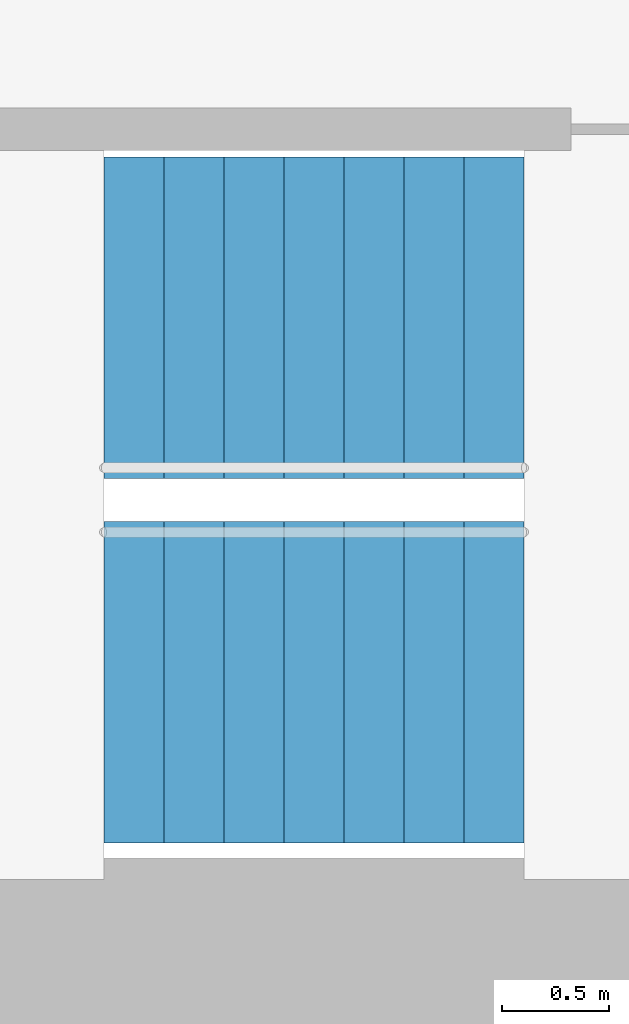
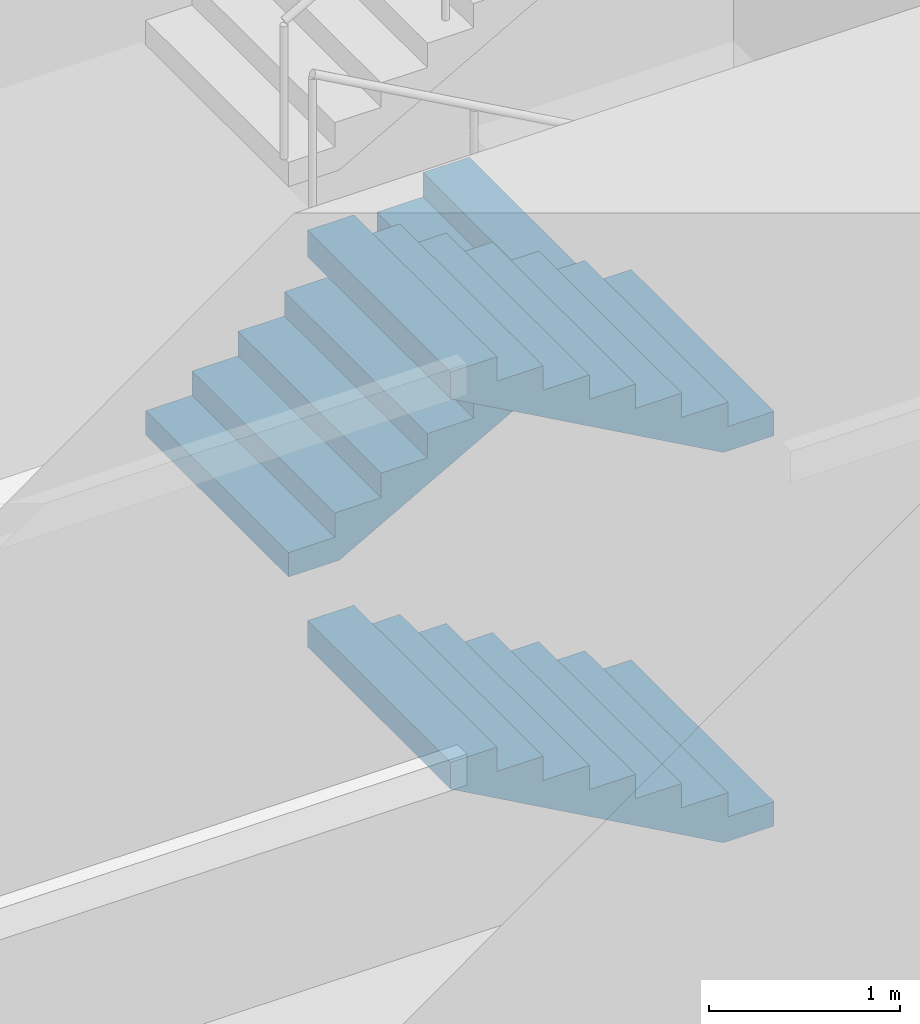
# One storey, part 32 of 73: 3 stair flights, 1 element without a shape of its own.
"""IFC4 building model written with IfcOpenShell, lengths in metres."""

from ifc_helpers import new_model, si_unit, direction, frame, origin, place, context, subcontext, project, spatial, triangles, material, type_object, element, aggregate, save


model = new_model("IFC4")

# Units and contexts
model_context = context("Model", 3, precision=1e-05, world=origin(), true_north=direction((0.0, 1.0)))
body_context = subcontext(model_context, "Body", "Model", "MODEL_VIEW")
ifc_project = project(units=[si_unit("LENGTHUNIT", "METRE"), si_unit("AREAUNIT", "SQUARE_METRE"), si_unit("VOLUMEUNIT", "CUBIC_METRE"), si_unit("PLANEANGLEUNIT", "RADIAN"), si_unit("MASSUNIT", "GRAM", prefix="KILO")], contexts=[model_context])

# Site, building, storey
site_placement = place(None, origin())
site = spatial("IfcSite", under=ifc_project, at=site_placement, CompositionType="ELEMENT")
building_placement = place(site_placement, origin())
building = spatial("IfcBuilding", under=site, at=building_placement, Name="Lantaw Convention Tower", CompositionType="ELEMENT")
storey_placement = place(building_placement, frame((0.0, 0.0, 22.0)))
storey = spatial("IfcBuildingStorey", under=building, at=storey_placement, Name="L03", CompositionType="ELEMENT", Elevation=22.0)

# Stair, stair flights
ifc_material = material(Name="Concrete C35/45", Category="concrete")
stair_type = type_object("IfcStairType", Name="Exit stair 1500 riser 156.25 in 4 flights", PredefinedType="HALF_TURN_STAIR", material=ifc_material)
stair_placement = place(storey_placement, origin())
stair = element("IfcStair", 1, at=stair_placement, inside=storey, type_object=stair_type, Name="Exit stair S2 L03", PredefinedType="HALF_TURN_STAIR")
stair_flight_type = type_object("IfcStairFlightType", Name="Stair flight 1500 riser 156.25", PredefinedType="STRAIGHT", material=ifc_material)
stair_flight_1_placement = place(storey_placement, frame((10.580078125, -5.97998046875, 0.0), z_axis=(0.0, 0.0, 1.0), x_axis=(-1.0, 0.0, 0.0)))
stair_flight_1 = element("IfcStairFlight", 2, at=stair_flight_1_placement, type_object=stair_flight_type, Name="S2 flight 1", NumberOfRisers=8, NumberOfTreads=7, PredefinedType="STRAIGHT", RiserHeight=0.15625, TreadLength=0.28, context=body_context, shape_type="Tessellation", body=[
    triangles([(0.0, 0.75, 0.0), (0.0, 0.75, 0.15625), (0.28, 0.75, 0.0), (0.28, 0.75, 0.15625), (0.28, 0.75, 0.3125), (0.3076200632058044, 0.75, 0.0), (0.3076200632058044, 0.75, 0.3125), (0.56, 0.75, 0.14083701830033238), (0.56, 0.75, 0.3125), (0.56, 0.75, 0.46875), (0.8400000000000001, 0.75, 0.29708701830033235), (0.8400000000000001, 0.75, 0.46875), (0.8400000000000001, 0.75, 0.625), (1.12, 0.75, 0.45333701830033235), (1.12, 0.75, 0.625), (1.12, 0.75, 0.78125), (1.4000000000000001, 0.75, 0.6095870183003324), (1.4000000000000001, 0.75, 0.78125), (1.4000000000000001, 0.75, 0.9375), (1.6800000000000002, 0.75, 0.7658370183003324), (1.6800000000000002, 0.75, 0.9375), (1.6800000000000002, 0.75, 1.09375), (1.9600000000000002, 0.75, 0.9220870183003324), (1.9600000000000002, 0.75, 1.09375), (0.0, -0.75, 0.0), (0.0, -0.75, 0.15625), (0.28, -0.75, 0.0), (0.28, -0.75, 0.15625), (0.28, -0.75, 0.3125), (0.3076200632058044, -0.75, 0.0), (0.3076200632058044, -0.75, 0.3125), (0.56, -0.75, 0.14083701830033238), (0.56, -0.75, 0.3125), (0.56, -0.75, 0.46875), (0.8400000000000001, -0.75, 0.29708701830033235), (0.8400000000000001, -0.75, 0.46875), (0.8400000000000001, -0.75, 0.625), (1.12, -0.75, 0.45333701830033235), (1.12, -0.75, 0.625), (1.12, -0.75, 0.78125), (1.4000000000000001, -0.75, 0.6095870183003324), (1.4000000000000001, -0.75, 0.78125), (1.4000000000000001, -0.75, 0.9375), (1.6800000000000002, -0.75, 0.7658370183003324), (1.6800000000000002, -0.75, 0.9375), (1.6800000000000002, -0.75, 1.09375), (1.9600000000000002, -0.75, 0.9220870183003324), (1.9600000000000002, -0.75, 1.09375), (0.0, 0.15000000000000002, 0.15625), (0.0, 0.15000000000000002, 0.0), (0.0, 0.0, 0.15625), (0.0, 0.0, 0.0), (0.0, -0.15000000000000002, 0.15625), (0.0, -0.15000000000000002, 0.0), (0.28, 0.15000000000000002, 0.3125), (0.28, 0.15000000000000002, 0.15625), (0.28, 0.0, 0.3125), (0.28, 0.0, 0.15625), (0.28, -0.15000000000000002, 0.3125), (0.28, -0.15000000000000002, 0.15625), (0.56, 0.15000000000000002, 0.46875), (0.56, 0.15000000000000002, 0.3125), (0.56, 0.0, 0.46875), (0.56, 0.0, 0.3125), (0.56, -0.15000000000000002, 0.46875), (0.56, -0.15000000000000002, 0.3125), (0.8400000000000001, 0.15000000000000002, 0.625), (0.8400000000000001, 0.15000000000000002, 0.46875), (0.8400000000000001, 0.0, 0.625), (0.8400000000000001, 0.0, 0.46875), (0.8400000000000001, -0.15000000000000002, 0.625), (0.8400000000000001, -0.15000000000000002, 0.46875), (1.12, 0.15000000000000002, 0.78125), (1.12, 0.15000000000000002, 0.625), (1.12, 0.0, 0.78125), (1.12, 0.0, 0.625), (1.12, -0.15000000000000002, 0.78125), (1.12, -0.15000000000000002, 0.625), (1.4000000000000001, 0.15000000000000002, 0.9375), (1.4000000000000001, 0.15000000000000002, 0.78125), (1.4000000000000001, 0.0, 0.9375), (1.4000000000000001, 0.0, 0.78125), (1.4000000000000001, -0.15000000000000002, 0.9375), (1.4000000000000001, -0.15000000000000002, 0.78125), (1.6800000000000002, 0.15000000000000002, 1.09375), (1.6800000000000002, 0.15000000000000002, 0.9375), (1.6800000000000002, 0.0, 1.09375), (1.6800000000000002, 0.0, 0.9375), (1.6800000000000002, -0.15000000000000002, 1.09375), (1.6800000000000002, -0.15000000000000002, 0.9375), (0.3076200632058044, 0.15000000000000002, 0.3125), (0.3076200632058044, 0.0, 0.3125), (0.3076200632058044, -0.15000000000000002, 0.3125), (1.9600000000000002, 0.15000000000000002, 1.09375), (1.9600000000000002, 0.0, 1.09375), (1.9600000000000002, -0.15000000000000002, 1.09375), (1.9600000000000002, 0.15000000000000002, 0.9220870183003324), (1.9600000000000002, 0.0, 0.9220870183003324), (1.9600000000000002, -0.15000000000000002, 0.9220870183003324), (1.6800000000000002, 0.15000000000000002, 0.7658370183003324), (1.6800000000000002, 0.0, 0.7658370183003324), (1.6800000000000002, -0.15000000000000002, 0.7658370183003324), (1.4000000000000001, 0.15000000000000002, 0.6095870183003324), (1.4000000000000001, 0.0, 0.6095870183003324), (1.4000000000000001, -0.15000000000000002, 0.6095870183003324), (1.12, 0.15000000000000002, 0.45333701830033235), (1.12, 0.0, 0.45333701830033235), (1.12, -0.15000000000000002, 0.45333701830033235), (0.8400000000000001, 0.15000000000000002, 0.29708701830033235), (0.8400000000000001, 0.0, 0.29708701830033235), (0.8400000000000001, -0.15000000000000002, 0.29708701830033235), (0.56, 0.15000000000000002, 0.14083701830033238), (0.56, 0.0, 0.14083701830033238), (0.56, -0.15000000000000002, 0.14083701830033238), (0.3076200632058044, 0.15000000000000002, 0.0), (0.3076200632058044, 0.0, 0.0), (0.3076200632058044, -0.15000000000000002, 0.0), (0.28, 0.15000000000000002, 0.0), (0.28, 0.0, 0.0), (0.28, -0.15000000000000002, 0.0)], [[1, 4, 3], [1, 2, 4], [3, 4, 6], [4, 7, 6], [4, 5, 7], [6, 9, 8], [6, 7, 9], [8, 9, 11], [9, 12, 11], [9, 10, 12], [11, 12, 14], [12, 15, 14], [12, 13, 15], [14, 15, 17], [15, 18, 17], [15, 16, 18], [17, 18, 20], [18, 21, 20], [18, 19, 21], [20, 21, 23], [21, 24, 23], [21, 22, 24], [25, 27, 28], [25, 28, 26], [27, 30, 28], [28, 30, 31], [28, 31, 29], [30, 32, 33], [30, 33, 31], [32, 35, 33], [33, 35, 36], [33, 36, 34], [35, 38, 36], [36, 38, 39], [36, 39, 37], [38, 41, 39], [39, 41, 42], [39, 42, 40], [41, 44, 42], [42, 44, 45], [42, 45, 43], [44, 47, 45], [45, 47, 48], [45, 48, 46], [1, 49, 2], [1, 50, 49], [50, 51, 49], [50, 52, 51], [52, 53, 51], [52, 54, 53], [54, 26, 53], [54, 25, 26], [4, 55, 5], [4, 56, 55], [56, 57, 55], [56, 58, 57], [58, 59, 57], [58, 60, 59], [60, 29, 59], [60, 28, 29], [9, 61, 10], [9, 62, 61], [62, 63, 61], [62, 64, 63], [64, 65, 63], [64, 66, 65], [66, 34, 65], [66, 33, 34], [12, 67, 13], [12, 68, 67], [68, 69, 67], [68, 70, 69], [70, 71, 69], [70, 72, 71], [72, 37, 71], [72, 36, 37], [15, 73, 16], [15, 74, 73], [74, 75, 73], [74, 76, 75], [76, 77, 75], [76, 78, 77], [78, 40, 77], [78, 39, 40], [18, 79, 19], [18, 80, 79], [80, 81, 79], [80, 82, 81], [82, 83, 81], [82, 84, 83], [84, 43, 83], [84, 42, 43], [21, 85, 22], [21, 86, 85], [86, 87, 85], [86, 88, 87], [88, 89, 87], [88, 90, 89], [90, 46, 89], [90, 45, 46], [2, 56, 4], [2, 49, 56], [49, 58, 56], [49, 51, 58], [51, 60, 58], [51, 53, 60], [53, 28, 60], [53, 26, 28], [5, 91, 7], [5, 55, 91], [55, 92, 91], [55, 57, 92], [57, 93, 92], [57, 59, 93], [59, 31, 93], [59, 29, 31], [7, 62, 9], [7, 91, 62], [91, 64, 62], [91, 92, 64], [92, 66, 64], [92, 93, 66], [93, 33, 66], [93, 31, 33], [10, 68, 12], [10, 61, 68], [61, 70, 68], [61, 63, 70], [63, 72, 70], [63, 65, 72], [65, 36, 72], [65, 34, 36], [13, 74, 15], [13, 67, 74], [67, 76, 74], [67, 69, 76], [69, 78, 76], [69, 71, 78], [71, 39, 78], [71, 37, 39], [16, 80, 18], [16, 73, 80], [73, 82, 80], [73, 75, 82], [75, 84, 82], [75, 77, 84], [77, 42, 84], [77, 40, 42], [19, 86, 21], [19, 79, 86], [79, 88, 86], [79, 81, 88], [81, 90, 88], [81, 83, 90], [83, 45, 90], [83, 43, 45], [22, 94, 24], [22, 85, 94], [85, 95, 94], [85, 87, 95], [87, 96, 95], [87, 89, 96], [89, 48, 96], [89, 46, 48], [24, 97, 23], [24, 94, 97], [94, 98, 97], [94, 95, 98], [95, 99, 98], [95, 96, 99], [96, 47, 99], [96, 48, 47], [23, 100, 20], [23, 97, 100], [97, 101, 100], [97, 98, 101], [98, 102, 101], [98, 99, 102], [99, 44, 102], [99, 47, 44], [20, 103, 17], [20, 100, 103], [100, 104, 103], [100, 101, 104], [101, 105, 104], [101, 102, 105], [102, 41, 105], [102, 44, 41], [17, 106, 14], [17, 103, 106], [103, 107, 106], [103, 104, 107], [104, 108, 107], [104, 105, 108], [105, 38, 108], [105, 41, 38], [14, 109, 11], [14, 106, 109], [106, 110, 109], [106, 107, 110], [107, 111, 110], [107, 108, 111], [108, 35, 111], [108, 38, 35], [11, 112, 8], [11, 109, 112], [109, 113, 112], [109, 110, 113], [110, 114, 113], [110, 111, 114], [111, 32, 114], [111, 35, 32], [8, 115, 6], [8, 112, 115], [112, 116, 115], [112, 113, 116], [113, 117, 116], [113, 114, 117], [114, 30, 117], [114, 32, 30], [6, 118, 3], [6, 115, 118], [115, 119, 118], [115, 116, 119], [116, 120, 119], [116, 117, 120], [117, 27, 120], [117, 30, 27], [3, 50, 1], [3, 118, 50], [118, 52, 50], [118, 119, 52], [119, 54, 52], [119, 120, 54], [120, 25, 54], [120, 27, 25]], closed=True),
])
stair_flight_2_placement = place(storey_placement, frame((8.6201171875, -4.280029296875, 1.25), z_axis=(0.0, 0.0, 1.0), x_axis=(1.0, 0.0, 0.0)))
stair_flight_2 = element("IfcStairFlight", 3, at=stair_flight_2_placement, type_object=stair_flight_type, Name="S2 flight 2", NumberOfRisers=8, NumberOfTreads=7, PredefinedType="STRAIGHT", RiserHeight=0.15625, TreadLength=0.28, context=body_context, shape_type="Tessellation", body=[
    triangles([(0.0, 0.75, 0.0), (0.0, 0.75, 0.15625), (0.28, 0.75, 0.0), (0.28, 0.75, 0.15625), (0.28, 0.75, 0.3125), (0.3076200632058044, 0.75, 0.0), (0.3076200632058044, 0.75, 0.3125), (0.56, 0.75, 0.14083701830033238), (0.56, 0.75, 0.3125), (0.56, 0.75, 0.46875), (0.8400000000000001, 0.75, 0.29708701830033235), (0.8400000000000001, 0.75, 0.46875), (0.8400000000000001, 0.75, 0.625), (1.12, 0.75, 0.45333701830033235), (1.12, 0.75, 0.625), (1.12, 0.75, 0.78125), (1.4000000000000001, 0.75, 0.6095870183003324), (1.4000000000000001, 0.75, 0.78125), (1.4000000000000001, 0.75, 0.9375), (1.6800000000000002, 0.75, 0.7658370183003324), (1.6800000000000002, 0.75, 0.9375), (1.6800000000000002, 0.75, 1.09375), (1.9600000000000002, 0.75, 0.9220870183003324), (1.9600000000000002, 0.75, 1.09375), (0.0, -0.75, 0.0), (0.0, -0.75, 0.15625), (0.28, -0.75, 0.0), (0.28, -0.75, 0.15625), (0.28, -0.75, 0.3125), (0.3076200632058044, -0.75, 0.0), (0.3076200632058044, -0.75, 0.3125), (0.56, -0.75, 0.14083701830033238), (0.56, -0.75, 0.3125), (0.56, -0.75, 0.46875), (0.8400000000000001, -0.75, 0.29708701830033235), (0.8400000000000001, -0.75, 0.46875), (0.8400000000000001, -0.75, 0.625), (1.12, -0.75, 0.45333701830033235), (1.12, -0.75, 0.625), (1.12, -0.75, 0.78125), (1.4000000000000001, -0.75, 0.6095870183003324), (1.4000000000000001, -0.75, 0.78125), (1.4000000000000001, -0.75, 0.9375), (1.6800000000000002, -0.75, 0.7658370183003324), (1.6800000000000002, -0.75, 0.9375), (1.6800000000000002, -0.75, 1.09375), (1.9600000000000002, -0.75, 0.9220870183003324), (1.9600000000000002, -0.75, 1.09375), (0.0, 0.15000000000000002, 0.15625), (0.0, 0.15000000000000002, 0.0), (0.0, 0.0, 0.15625), (0.0, 0.0, 0.0), (0.0, -0.15000000000000002, 0.15625), (0.0, -0.15000000000000002, 0.0), (0.28, 0.15000000000000002, 0.3125), (0.28, 0.15000000000000002, 0.15625), (0.28, 0.0, 0.3125), (0.28, 0.0, 0.15625), (0.28, -0.15000000000000002, 0.3125), (0.28, -0.15000000000000002, 0.15625), (0.56, 0.15000000000000002, 0.46875), (0.56, 0.15000000000000002, 0.3125), (0.56, 0.0, 0.46875), (0.56, 0.0, 0.3125), (0.56, -0.15000000000000002, 0.46875), (0.56, -0.15000000000000002, 0.3125), (0.8400000000000001, 0.15000000000000002, 0.625), (0.8400000000000001, 0.15000000000000002, 0.46875), (0.8400000000000001, 0.0, 0.625), (0.8400000000000001, 0.0, 0.46875), (0.8400000000000001, -0.15000000000000002, 0.625), (0.8400000000000001, -0.15000000000000002, 0.46875), (1.12, 0.15000000000000002, 0.78125), (1.12, 0.15000000000000002, 0.625), (1.12, 0.0, 0.78125), (1.12, 0.0, 0.625), (1.12, -0.15000000000000002, 0.78125), (1.12, -0.15000000000000002, 0.625), (1.4000000000000001, 0.15000000000000002, 0.9375), (1.4000000000000001, 0.15000000000000002, 0.78125), (1.4000000000000001, 0.0, 0.9375), (1.4000000000000001, 0.0, 0.78125), (1.4000000000000001, -0.15000000000000002, 0.9375), (1.4000000000000001, -0.15000000000000002, 0.78125), (1.6800000000000002, 0.15000000000000002, 1.09375), (1.6800000000000002, 0.15000000000000002, 0.9375), (1.6800000000000002, 0.0, 1.09375), (1.6800000000000002, 0.0, 0.9375), (1.6800000000000002, -0.15000000000000002, 1.09375), (1.6800000000000002, -0.15000000000000002, 0.9375), (0.3076200632058044, 0.15000000000000002, 0.3125), (0.3076200632058044, 0.0, 0.3125), (0.3076200632058044, -0.15000000000000002, 0.3125), (1.9600000000000002, 0.15000000000000002, 1.09375), (1.9600000000000002, 0.0, 1.09375), (1.9600000000000002, -0.15000000000000002, 1.09375), (1.9600000000000002, 0.15000000000000002, 0.9220870183003324), (1.9600000000000002, 0.0, 0.9220870183003324), (1.9600000000000002, -0.15000000000000002, 0.9220870183003324), (1.6800000000000002, 0.15000000000000002, 0.7658370183003324), (1.6800000000000002, 0.0, 0.7658370183003324), (1.6800000000000002, -0.15000000000000002, 0.7658370183003324), (1.4000000000000001, 0.15000000000000002, 0.6095870183003324), (1.4000000000000001, 0.0, 0.6095870183003324), (1.4000000000000001, -0.15000000000000002, 0.6095870183003324), (1.12, 0.15000000000000002, 0.45333701830033235), (1.12, 0.0, 0.45333701830033235), (1.12, -0.15000000000000002, 0.45333701830033235), (0.8400000000000001, 0.15000000000000002, 0.29708701830033235), (0.8400000000000001, 0.0, 0.29708701830033235), (0.8400000000000001, -0.15000000000000002, 0.29708701830033235), (0.56, 0.15000000000000002, 0.14083701830033238), (0.56, 0.0, 0.14083701830033238), (0.56, -0.15000000000000002, 0.14083701830033238), (0.3076200632058044, 0.15000000000000002, 0.0), (0.3076200632058044, 0.0, 0.0), (0.3076200632058044, -0.15000000000000002, 0.0), (0.28, 0.15000000000000002, 0.0), (0.28, 0.0, 0.0), (0.28, -0.15000000000000002, 0.0)], [[1, 4, 3], [1, 2, 4], [3, 4, 6], [4, 7, 6], [4, 5, 7], [6, 9, 8], [6, 7, 9], [8, 9, 11], [9, 12, 11], [9, 10, 12], [11, 12, 14], [12, 15, 14], [12, 13, 15], [14, 15, 17], [15, 18, 17], [15, 16, 18], [17, 18, 20], [18, 21, 20], [18, 19, 21], [20, 21, 23], [21, 24, 23], [21, 22, 24], [25, 27, 28], [25, 28, 26], [27, 30, 28], [28, 30, 31], [28, 31, 29], [30, 32, 33], [30, 33, 31], [32, 35, 33], [33, 35, 36], [33, 36, 34], [35, 38, 36], [36, 38, 39], [36, 39, 37], [38, 41, 39], [39, 41, 42], [39, 42, 40], [41, 44, 42], [42, 44, 45], [42, 45, 43], [44, 47, 45], [45, 47, 48], [45, 48, 46], [1, 49, 2], [1, 50, 49], [50, 51, 49], [50, 52, 51], [52, 53, 51], [52, 54, 53], [54, 26, 53], [54, 25, 26], [4, 55, 5], [4, 56, 55], [56, 57, 55], [56, 58, 57], [58, 59, 57], [58, 60, 59], [60, 29, 59], [60, 28, 29], [9, 61, 10], [9, 62, 61], [62, 63, 61], [62, 64, 63], [64, 65, 63], [64, 66, 65], [66, 34, 65], [66, 33, 34], [12, 67, 13], [12, 68, 67], [68, 69, 67], [68, 70, 69], [70, 71, 69], [70, 72, 71], [72, 37, 71], [72, 36, 37], [15, 73, 16], [15, 74, 73], [74, 75, 73], [74, 76, 75], [76, 77, 75], [76, 78, 77], [78, 40, 77], [78, 39, 40], [18, 79, 19], [18, 80, 79], [80, 81, 79], [80, 82, 81], [82, 83, 81], [82, 84, 83], [84, 43, 83], [84, 42, 43], [21, 85, 22], [21, 86, 85], [86, 87, 85], [86, 88, 87], [88, 89, 87], [88, 90, 89], [90, 46, 89], [90, 45, 46], [2, 56, 4], [2, 49, 56], [49, 58, 56], [49, 51, 58], [51, 60, 58], [51, 53, 60], [53, 28, 60], [53, 26, 28], [5, 91, 7], [5, 55, 91], [55, 92, 91], [55, 57, 92], [57, 93, 92], [57, 59, 93], [59, 31, 93], [59, 29, 31], [7, 62, 9], [7, 91, 62], [91, 64, 62], [91, 92, 64], [92, 66, 64], [92, 93, 66], [93, 33, 66], [93, 31, 33], [10, 68, 12], [10, 61, 68], [61, 70, 68], [61, 63, 70], [63, 72, 70], [63, 65, 72], [65, 36, 72], [65, 34, 36], [13, 74, 15], [13, 67, 74], [67, 76, 74], [67, 69, 76], [69, 78, 76], [69, 71, 78], [71, 39, 78], [71, 37, 39], [16, 80, 18], [16, 73, 80], [73, 82, 80], [73, 75, 82], [75, 84, 82], [75, 77, 84], [77, 42, 84], [77, 40, 42], [19, 86, 21], [19, 79, 86], [79, 88, 86], [79, 81, 88], [81, 90, 88], [81, 83, 90], [83, 45, 90], [83, 43, 45], [22, 94, 24], [22, 85, 94], [85, 95, 94], [85, 87, 95], [87, 96, 95], [87, 89, 96], [89, 48, 96], [89, 46, 48], [24, 97, 23], [24, 94, 97], [94, 98, 97], [94, 95, 98], [95, 99, 98], [95, 96, 99], [96, 47, 99], [96, 48, 47], [23, 100, 20], [23, 97, 100], [97, 101, 100], [97, 98, 101], [98, 102, 101], [98, 99, 102], [99, 44, 102], [99, 47, 44], [20, 103, 17], [20, 100, 103], [100, 104, 103], [100, 101, 104], [101, 105, 104], [101, 102, 105], [102, 41, 105], [102, 44, 41], [17, 106, 14], [17, 103, 106], [103, 107, 106], [103, 104, 107], [104, 108, 107], [104, 105, 108], [105, 38, 108], [105, 41, 38], [14, 109, 11], [14, 106, 109], [106, 110, 109], [106, 107, 110], [107, 111, 110], [107, 108, 111], [108, 35, 111], [108, 38, 35], [11, 112, 8], [11, 109, 112], [109, 113, 112], [109, 110, 113], [110, 114, 113], [110, 111, 114], [111, 32, 114], [111, 35, 32], [8, 115, 6], [8, 112, 115], [112, 116, 115], [112, 113, 116], [113, 117, 116], [113, 114, 117], [114, 30, 117], [114, 32, 30], [6, 118, 3], [6, 115, 118], [115, 119, 118], [115, 116, 119], [116, 120, 119], [116, 117, 120], [117, 27, 120], [117, 30, 27], [3, 50, 1], [3, 118, 50], [118, 52, 50], [118, 119, 52], [119, 54, 52], [119, 120, 54], [120, 25, 54], [120, 27, 25]], closed=True),
])
stair_flight_3_placement = place(storey_placement, frame((10.580078125, -5.97998046875, 2.5), z_axis=(0.0, 0.0, 1.0), x_axis=(-1.0, 0.0, 0.0)))
stair_flight_3 = element("IfcStairFlight", 4, at=stair_flight_3_placement, type_object=stair_flight_type, Name="S2 flight 3", NumberOfRisers=8, NumberOfTreads=7, PredefinedType="STRAIGHT", RiserHeight=0.15625, TreadLength=0.28, context=body_context, shape_type="Tessellation", body=[
    triangles([(0.0, 0.75, 0.0), (0.0, 0.75, 0.15625), (0.28, 0.75, 0.0), (0.28, 0.75, 0.15625), (0.28, 0.75, 0.3125), (0.3076200632058044, 0.75, 0.0), (0.3076200632058044, 0.75, 0.3125), (0.56, 0.75, 0.14083701830033238), (0.56, 0.75, 0.3125), (0.56, 0.75, 0.46875), (0.8400000000000001, 0.75, 0.29708701830033235), (0.8400000000000001, 0.75, 0.46875), (0.8400000000000001, 0.75, 0.625), (1.12, 0.75, 0.45333701830033235), (1.12, 0.75, 0.625), (1.12, 0.75, 0.78125), (1.4000000000000001, 0.75, 0.6095870183003324), (1.4000000000000001, 0.75, 0.78125), (1.4000000000000001, 0.75, 0.9375), (1.6800000000000002, 0.75, 0.7658370183003324), (1.6800000000000002, 0.75, 0.9375), (1.6800000000000002, 0.75, 1.09375), (1.9600000000000002, 0.75, 0.9220870183003324), (1.9600000000000002, 0.75, 1.09375), (0.0, -0.75, 0.0), (0.0, -0.75, 0.15625), (0.28, -0.75, 0.0), (0.28, -0.75, 0.15625), (0.28, -0.75, 0.3125), (0.3076200632058044, -0.75, 0.0), (0.3076200632058044, -0.75, 0.3125), (0.56, -0.75, 0.14083701830033238), (0.56, -0.75, 0.3125), (0.56, -0.75, 0.46875), (0.8400000000000001, -0.75, 0.29708701830033235), (0.8400000000000001, -0.75, 0.46875), (0.8400000000000001, -0.75, 0.625), (1.12, -0.75, 0.45333701830033235), (1.12, -0.75, 0.625), (1.12, -0.75, 0.78125), (1.4000000000000001, -0.75, 0.6095870183003324), (1.4000000000000001, -0.75, 0.78125), (1.4000000000000001, -0.75, 0.9375), (1.6800000000000002, -0.75, 0.7658370183003324), (1.6800000000000002, -0.75, 0.9375), (1.6800000000000002, -0.75, 1.09375), (1.9600000000000002, -0.75, 0.9220870183003324), (1.9600000000000002, -0.75, 1.09375), (0.0, 0.15000000000000002, 0.15625), (0.0, 0.15000000000000002, 0.0), (0.0, 0.0, 0.15625), (0.0, 0.0, 0.0), (0.0, -0.15000000000000002, 0.15625), (0.0, -0.15000000000000002, 0.0), (0.28, 0.15000000000000002, 0.3125), (0.28, 0.15000000000000002, 0.15625), (0.28, 0.0, 0.3125), (0.28, 0.0, 0.15625), (0.28, -0.15000000000000002, 0.3125), (0.28, -0.15000000000000002, 0.15625), (0.56, 0.15000000000000002, 0.46875), (0.56, 0.15000000000000002, 0.3125), (0.56, 0.0, 0.46875), (0.56, 0.0, 0.3125), (0.56, -0.15000000000000002, 0.46875), (0.56, -0.15000000000000002, 0.3125), (0.8400000000000001, 0.15000000000000002, 0.625), (0.8400000000000001, 0.15000000000000002, 0.46875), (0.8400000000000001, 0.0, 0.625), (0.8400000000000001, 0.0, 0.46875), (0.8400000000000001, -0.15000000000000002, 0.625), (0.8400000000000001, -0.15000000000000002, 0.46875), (1.12, 0.15000000000000002, 0.78125), (1.12, 0.15000000000000002, 0.625), (1.12, 0.0, 0.78125), (1.12, 0.0, 0.625), (1.12, -0.15000000000000002, 0.78125), (1.12, -0.15000000000000002, 0.625), (1.4000000000000001, 0.15000000000000002, 0.9375), (1.4000000000000001, 0.15000000000000002, 0.78125), (1.4000000000000001, 0.0, 0.9375), (1.4000000000000001, 0.0, 0.78125), (1.4000000000000001, -0.15000000000000002, 0.9375), (1.4000000000000001, -0.15000000000000002, 0.78125), (1.6800000000000002, 0.15000000000000002, 1.09375), (1.6800000000000002, 0.15000000000000002, 0.9375), (1.6800000000000002, 0.0, 1.09375), (1.6800000000000002, 0.0, 0.9375), (1.6800000000000002, -0.15000000000000002, 1.09375), (1.6800000000000002, -0.15000000000000002, 0.9375), (0.3076200632058044, 0.15000000000000002, 0.3125), (0.3076200632058044, 0.0, 0.3125), (0.3076200632058044, -0.15000000000000002, 0.3125), (1.9600000000000002, 0.15000000000000002, 1.09375), (1.9600000000000002, 0.0, 1.09375), (1.9600000000000002, -0.15000000000000002, 1.09375), (1.9600000000000002, 0.15000000000000002, 0.9220870183003324), (1.9600000000000002, 0.0, 0.9220870183003324), (1.9600000000000002, -0.15000000000000002, 0.9220870183003324), (1.6800000000000002, 0.15000000000000002, 0.7658370183003324), (1.6800000000000002, 0.0, 0.7658370183003324), (1.6800000000000002, -0.15000000000000002, 0.7658370183003324), (1.4000000000000001, 0.15000000000000002, 0.6095870183003324), (1.4000000000000001, 0.0, 0.6095870183003324), (1.4000000000000001, -0.15000000000000002, 0.6095870183003324), (1.12, 0.15000000000000002, 0.45333701830033235), (1.12, 0.0, 0.45333701830033235), (1.12, -0.15000000000000002, 0.45333701830033235), (0.8400000000000001, 0.15000000000000002, 0.29708701830033235), (0.8400000000000001, 0.0, 0.29708701830033235), (0.8400000000000001, -0.15000000000000002, 0.29708701830033235), (0.56, 0.15000000000000002, 0.14083701830033238), (0.56, 0.0, 0.14083701830033238), (0.56, -0.15000000000000002, 0.14083701830033238), (0.3076200632058044, 0.15000000000000002, 0.0), (0.3076200632058044, 0.0, 0.0), (0.3076200632058044, -0.15000000000000002, 0.0), (0.28, 0.15000000000000002, 0.0), (0.28, 0.0, 0.0), (0.28, -0.15000000000000002, 0.0)], [[1, 4, 3], [1, 2, 4], [3, 4, 6], [4, 7, 6], [4, 5, 7], [6, 9, 8], [6, 7, 9], [8, 9, 11], [9, 12, 11], [9, 10, 12], [11, 12, 14], [12, 15, 14], [12, 13, 15], [14, 15, 17], [15, 18, 17], [15, 16, 18], [17, 18, 20], [18, 21, 20], [18, 19, 21], [20, 21, 23], [21, 24, 23], [21, 22, 24], [25, 27, 28], [25, 28, 26], [27, 30, 28], [28, 30, 31], [28, 31, 29], [30, 32, 33], [30, 33, 31], [32, 35, 33], [33, 35, 36], [33, 36, 34], [35, 38, 36], [36, 38, 39], [36, 39, 37], [38, 41, 39], [39, 41, 42], [39, 42, 40], [41, 44, 42], [42, 44, 45], [42, 45, 43], [44, 47, 45], [45, 47, 48], [45, 48, 46], [1, 49, 2], [1, 50, 49], [50, 51, 49], [50, 52, 51], [52, 53, 51], [52, 54, 53], [54, 26, 53], [54, 25, 26], [4, 55, 5], [4, 56, 55], [56, 57, 55], [56, 58, 57], [58, 59, 57], [58, 60, 59], [60, 29, 59], [60, 28, 29], [9, 61, 10], [9, 62, 61], [62, 63, 61], [62, 64, 63], [64, 65, 63], [64, 66, 65], [66, 34, 65], [66, 33, 34], [12, 67, 13], [12, 68, 67], [68, 69, 67], [68, 70, 69], [70, 71, 69], [70, 72, 71], [72, 37, 71], [72, 36, 37], [15, 73, 16], [15, 74, 73], [74, 75, 73], [74, 76, 75], [76, 77, 75], [76, 78, 77], [78, 40, 77], [78, 39, 40], [18, 79, 19], [18, 80, 79], [80, 81, 79], [80, 82, 81], [82, 83, 81], [82, 84, 83], [84, 43, 83], [84, 42, 43], [21, 85, 22], [21, 86, 85], [86, 87, 85], [86, 88, 87], [88, 89, 87], [88, 90, 89], [90, 46, 89], [90, 45, 46], [2, 56, 4], [2, 49, 56], [49, 58, 56], [49, 51, 58], [51, 60, 58], [51, 53, 60], [53, 28, 60], [53, 26, 28], [5, 91, 7], [5, 55, 91], [55, 92, 91], [55, 57, 92], [57, 93, 92], [57, 59, 93], [59, 31, 93], [59, 29, 31], [7, 62, 9], [7, 91, 62], [91, 64, 62], [91, 92, 64], [92, 66, 64], [92, 93, 66], [93, 33, 66], [93, 31, 33], [10, 68, 12], [10, 61, 68], [61, 70, 68], [61, 63, 70], [63, 72, 70], [63, 65, 72], [65, 36, 72], [65, 34, 36], [13, 74, 15], [13, 67, 74], [67, 76, 74], [67, 69, 76], [69, 78, 76], [69, 71, 78], [71, 39, 78], [71, 37, 39], [16, 80, 18], [16, 73, 80], [73, 82, 80], [73, 75, 82], [75, 84, 82], [75, 77, 84], [77, 42, 84], [77, 40, 42], [19, 86, 21], [19, 79, 86], [79, 88, 86], [79, 81, 88], [81, 90, 88], [81, 83, 90], [83, 45, 90], [83, 43, 45], [22, 94, 24], [22, 85, 94], [85, 95, 94], [85, 87, 95], [87, 96, 95], [87, 89, 96], [89, 48, 96], [89, 46, 48], [24, 97, 23], [24, 94, 97], [94, 98, 97], [94, 95, 98], [95, 99, 98], [95, 96, 99], [96, 47, 99], [96, 48, 47], [23, 100, 20], [23, 97, 100], [97, 101, 100], [97, 98, 101], [98, 102, 101], [98, 99, 102], [99, 44, 102], [99, 47, 44], [20, 103, 17], [20, 100, 103], [100, 104, 103], [100, 101, 104], [101, 105, 104], [101, 102, 105], [102, 41, 105], [102, 44, 41], [17, 106, 14], [17, 103, 106], [103, 107, 106], [103, 104, 107], [104, 108, 107], [104, 105, 108], [105, 38, 108], [105, 41, 38], [14, 109, 11], [14, 106, 109], [106, 110, 109], [106, 107, 110], [107, 111, 110], [107, 108, 111], [108, 35, 111], [108, 38, 35], [11, 112, 8], [11, 109, 112], [109, 113, 112], [109, 110, 113], [110, 114, 113], [110, 111, 114], [111, 32, 114], [111, 35, 32], [8, 115, 6], [8, 112, 115], [112, 116, 115], [112, 113, 116], [113, 117, 116], [113, 114, 117], [114, 30, 117], [114, 32, 30], [6, 118, 3], [6, 115, 118], [115, 119, 118], [115, 116, 119], [116, 120, 119], [116, 117, 120], [117, 27, 120], [117, 30, 27], [3, 50, 1], [3, 118, 50], [118, 52, 50], [118, 119, 52], [119, 54, 52], [119, 120, 54], [120, 25, 54], [120, 27, 25]], closed=True),
])
aggregate(stair, [stair_flight_1, stair_flight_2, stair_flight_3])

save(model, "model.ifc")
